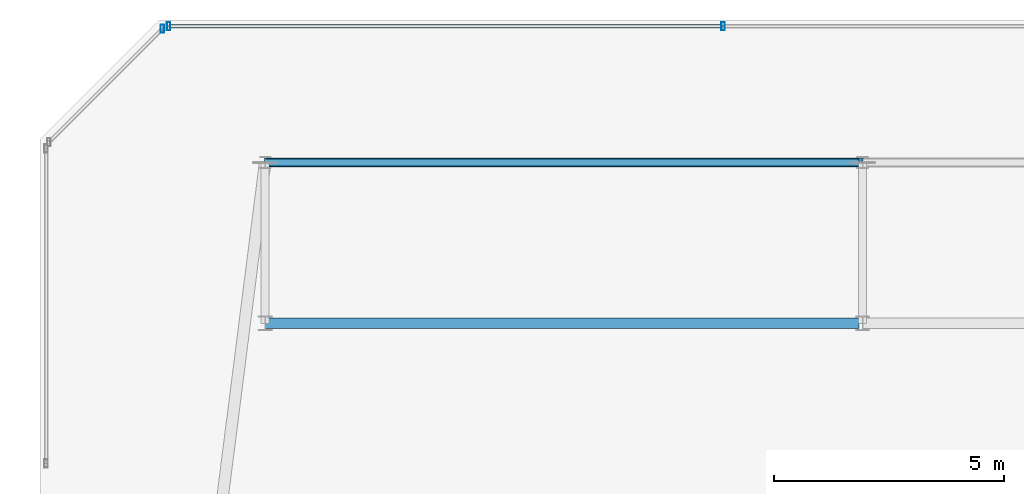
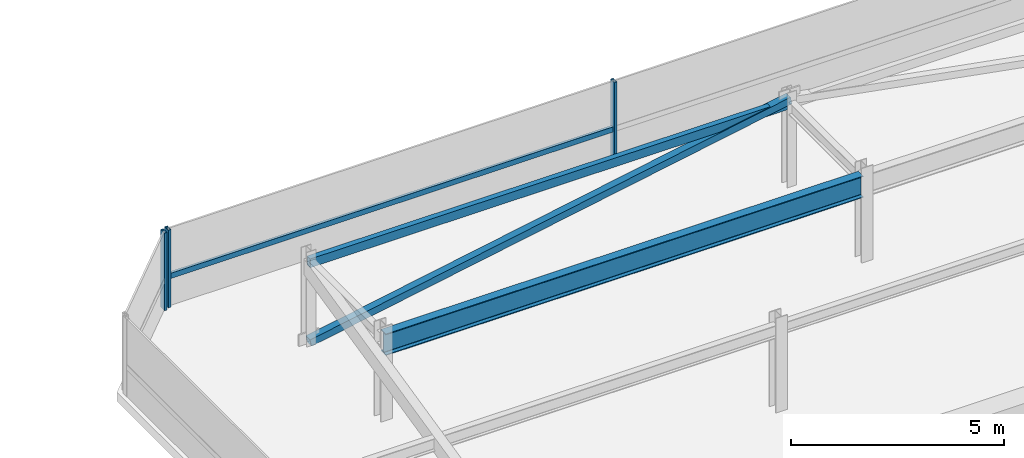
# One storey, part 35 of 44: 5 members, 2 beams, 2 elements without a shape of their own.
"""IFC4 building model written with IfcOpenShell, lengths in metres."""

from ifc_helpers import new_model, si_unit, direction, frame, origin, origin_2d, place, context, subcontext, project, spatial, hollow_rectangle, i_section, extrude, material, material_profile, profile_set, type_object, element, aggregate, save


model = new_model("IFC4")

# Units and contexts
model_context = context("Model", 3, precision=1e-05, world=origin(), true_north=direction((0.0, 1.0)))
body_context = subcontext(model_context, "Body", "Model", "MODEL_VIEW")
ifc_project = project(units=[si_unit("LENGTHUNIT", "METRE"), si_unit("AREAUNIT", "SQUARE_METRE"), si_unit("VOLUMEUNIT", "CUBIC_METRE"), si_unit("PLANEANGLEUNIT", "RADIAN"), si_unit("MASSUNIT", "GRAM", prefix="KILO")], contexts=[model_context])

# Site, building, storey
site_placement = place(None, origin())
site = spatial("IfcSite", under=ifc_project, at=site_placement, CompositionType="ELEMENT")
building_placement = place(site_placement, origin())
building = spatial("IfcBuilding", under=site, at=building_placement, Name="Thornwick Lancets Civic Towers", CompositionType="ELEMENT")
storey_placement = place(building_placement, frame((0.0, 0.0, 292.199951171875)))
storey = spatial("IfcBuildingStorey", under=building, at=storey_placement, Name="C05", CompositionType="ELEMENT", Elevation=292.199951171875)

# Beams
ifc_material_1 = material(Name="Steel S355JR", Category="steel")
ifc_material_profile_1 = material_profile(ifc_material_1, hollow_rectangle(XDim=0.14990234375, YDim=0.25, WallThickness=0.012451171875, at=origin_2d()), Name="RHS 250x150x12.5")
ifc_profile_set_1 = profile_set([ifc_material_profile_1], Name="Steel S355JR")
beam_type_1 = type_object("IfcBeamType", Name="BM_CROWN_RHS250", PredefinedType="BEAM", material=ifc_profile_set_1)
beam_1_placement = place(storey_placement, frame((88.419921875, 47.800048828125, 2.31494140625), z_axis=(-1.0, 0.0, 0.0), x_axis=(0.0, -1.0, 0.0)))
element("IfcBeam", 1, at=beam_1_placement, inside=storey, type_object=beam_type_1, Name="BM-EDGE-C05-B-S1-2", PredefinedType="BEAM", context=body_context, shape_type="SweptSolid", body=[
    extrude(hollow_rectangle(XDim=0.14990234375, YDim=0.25, WallThickness=0.012451171875, at=origin_2d()), origin(), (0.0, 0.0, 1.0), 12.919921875),
])
ifc_material_profile_2 = material_profile(ifc_material_1, i_section(OverallWidth=0.230224609375, OverallDepth=0.6171875, WebThickness=0.01318359375, FlangeThickness=0.022216796875, FilletRadius=0.0126953125, at=origin_2d()), Name="UKB 610x229x140")
ifc_profile_set_2 = profile_set([ifc_material_profile_2], Name="Steel S355JR")
beam_type_2 = type_object("IfcBeamType", Name="BM_GIRD_610_140", PredefinedType="BEAM", material=ifc_profile_set_2)
beam_2_placement = place(storey_placement, frame((88.419921875, 44.300048828125, 2.13134765625), z_axis=(-1.0, 0.0, 0.0), x_axis=(0.0, -1.0, 0.0)))
element("IfcBeam", 2, at=beam_2_placement, inside=storey, type_object=beam_type_2, Name="BM-SPINE-C05-B-4-5", PredefinedType="BEAM", context=body_context, shape_type="SweptSolid", body=[
    extrude(i_section(OverallWidth=0.230224609375, OverallDepth=0.6171875, WebThickness=0.01318359375, FlangeThickness=0.022216796875, FilletRadius=0.0126953125, at=origin_2d()), origin(), (0.0, 0.0, 1.0), 12.919921875),
])

# Curtain wall, members
ifc_material_2 = material(Name="Crown ring acoustic-louvre and glazing screen wall", Category="glass")
curtain_wall_type = type_object("IfcCurtainWallType", Name="CW_SYS_07", PredefinedType="NOTDEFINED", material=ifc_material_2)
curtain_wall_1_placement = place(storey_placement, origin())
curtain_wall_1 = element("IfcCurtainWall", 3, at=curtain_wall_1_placement, inside=storey, type_object=curtain_wall_type, Name="C05 Curtain Wall CW-C05-B-E4", PredefinedType="NOTDEFINED")
ifc_material_3 = material(Name="Thermally broken bronze aluminium S355", Category="steel")
ifc_material_profile_3 = material_profile(ifc_material_3, hollow_rectangle(XDim=0.074951171875, YDim=0.179931640625, WallThickness=0.006103515625, at=origin_2d()), Name="RHS 180x75x6")
ifc_profile_set_3 = profile_set([ifc_material_profile_3], Name="Thermally broken bronze aluminium S355")
member_type_1 = type_object("IfcMemberType", Name="CW_MUL_180", PredefinedType="MULLION", material=ifc_profile_set_3)
member_1_placement = place(storey_placement, frame((85.46630859375, 50.7646484375, 0.0), z_axis=(0.0, 0.0, 1.0), x_axis=(1.0, 0.0, 0.0)))
member_1 = element("IfcMember", 4, at=member_1_placement, type_object=member_type_1, Name="CW-C05-B-E4 Mullion 2", PredefinedType="MULLION", context=body_context, shape_type="SweptSolid", body=[
    extrude(hollow_rectangle(XDim=0.074951171875, YDim=0.179931640625, WallThickness=0.006103515625, at=origin_2d()), origin(), (0.0, 0.0, 1.0), 2.219970703125),
])
member_2_placement = place(storey_placement, frame((73.398681640625, 50.7646484375, 0.0), z_axis=(0.0, 0.0, 1.0), x_axis=(1.0, 0.0, 0.0)))
member_2 = element("IfcMember", 5, at=member_2_placement, type_object=member_type_1, Name="CW-C05-B-E4 Mullion 3", PredefinedType="MULLION", context=body_context, shape_type="SweptSolid", body=[
    extrude(hollow_rectangle(XDim=0.074951171875, YDim=0.179931640625, WallThickness=0.006103515625, at=origin_2d()), origin(), (0.0, 0.0, 1.0), 2.219970703125),
])

# Curtain wall, member
curtain_wall_2_placement = place(storey_placement, origin())
curtain_wall_2 = element("IfcCurtainWall", 6, at=curtain_wall_2_placement, inside=storey, type_object=curtain_wall_type, Name="C05 Curtain Wall CW-C05-B-E5", PredefinedType="NOTDEFINED")
member_3_placement = place(storey_placement, frame((73.261962890625, 50.7080078125, 0.0), z_axis=(0.0, 0.0, 1.0), x_axis=(1.0, 0.0, 0.0)))
member_3 = element("IfcMember", 7, at=member_3_placement, type_object=member_type_1, Name="CW-C05-B-E5 Mullion 0", PredefinedType="MULLION", context=body_context, shape_type="SweptSolid", body=[
    extrude(hollow_rectangle(XDim=0.074951171875, YDim=0.179931640625, WallThickness=0.006103515625, at=origin_2d()), origin(), (0.0, 0.0, 1.0), 2.219970703125),
])
aggregate(curtain_wall_2, [member_3])

# Member
ifc_material_profile_4 = material_profile(ifc_material_3, hollow_rectangle(XDim=0.074951171875, YDim=0.14990234375, WallThickness=0.0048828125, at=origin_2d()), Name="RHS 150x75x5")
ifc_profile_set_4 = profile_set([ifc_material_profile_4], Name="Thermally broken bronze aluminium S355")
member_type_2 = type_object("IfcMemberType", Name="CW_TRN_150", PredefinedType="USERDEFINED", material=ifc_profile_set_4)
member_4_placement = place(storey_placement, frame((85.4462890625, 50.7646484375, 0.85009765625), z_axis=(-1.0, 0.0, 0.0), x_axis=(0.0, -1.0, 0.0)))
member_4 = element("IfcMember", 8, at=member_4_placement, type_object=member_type_2, Name="CW-C05-B-E4 Transom 2", ObjectType="TRANSOM", PredefinedType="USERDEFINED", context=body_context, shape_type="SweptSolid", body=[
    extrude(hollow_rectangle(XDim=0.074951171875, YDim=0.14990234375, WallThickness=0.0048828125, at=origin_2d()), origin(), (0.0, 0.0, 1.0), 12.027587890625),
])

aggregate(curtain_wall_1, [member_1, member_2, member_4])

ifc_material_profile_5 = material_profile(ifc_material_1, hollow_rectangle(XDim=0.199951171875, YDim=0.199951171875, WallThickness=0.012451171875, at=origin_2d()), Name="SHS 200x200x12.5")
ifc_profile_set_5 = profile_set([ifc_material_profile_5], Name="Steel S355JR")
member_type_3 = type_object("IfcMemberType", Name="MEM_CROWN_SHS200", PredefinedType="BRACE", material=ifc_profile_set_5)
member_5_placement = place(storey_placement, frame((75.5, 47.800048828125, 0.050048828125), z_axis=(0.98351842104, 0.0, 0.180807951915), x_axis=(0.0, 1.0, 0.0)))
element("IfcMember", 9, at=member_5_placement, inside=storey, type_object=member_type_3, Name="C05 Crown Ring Lancet Rib B-S1-R", PredefinedType="BRACE", context=body_context, shape_type="SweptSolid", body=[
    extrude(hollow_rectangle(XDim=0.199951171875, YDim=0.199951171875, WallThickness=0.012451171875, at=origin_2d()), origin(), (0.0, 0.0, 1.0), 13.2177734375),
])

save(model, "model.ifc")
